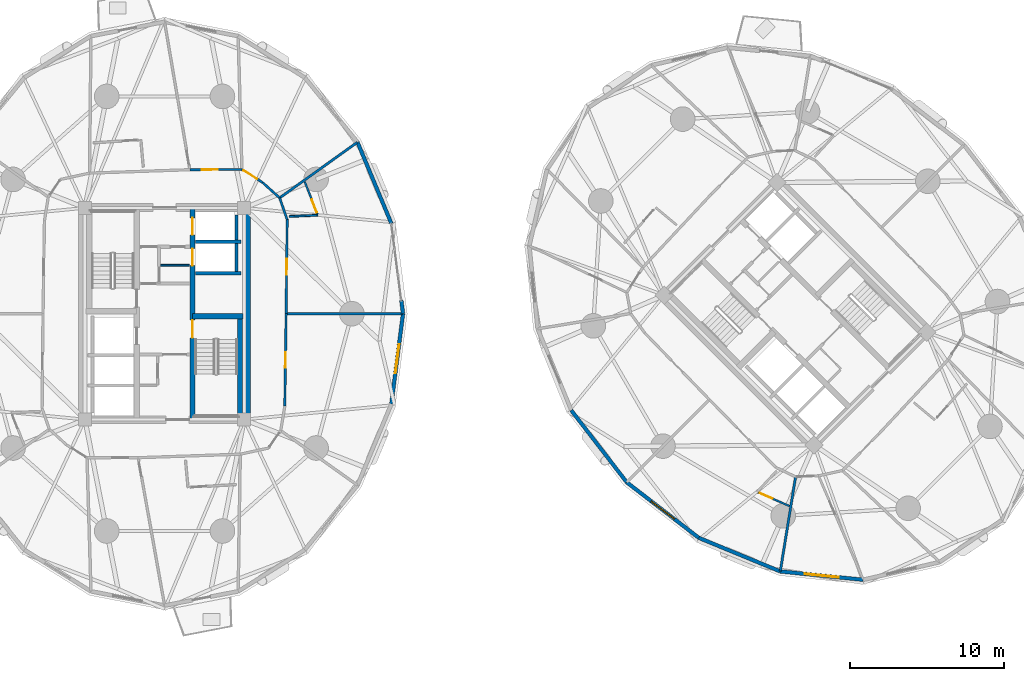
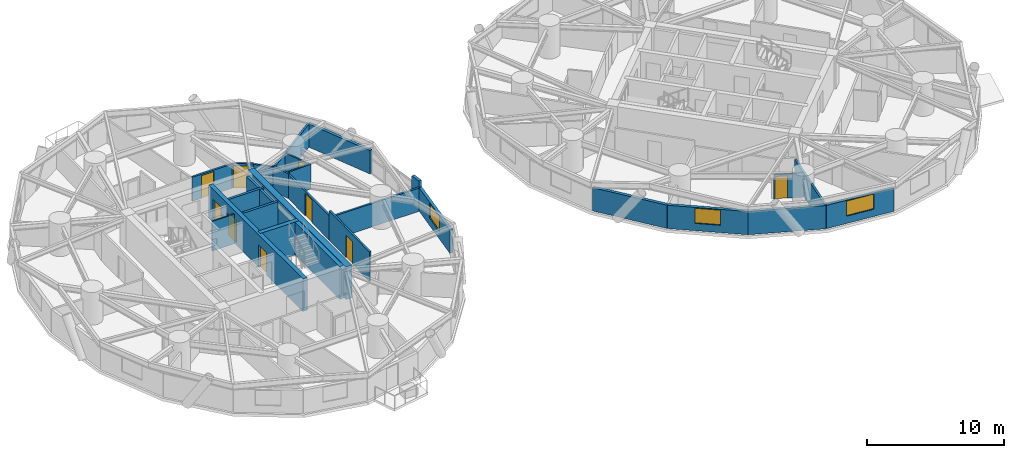
# One storey, part 11 of 19: 28 walls, 9 doors, 3 windows, 12 openings.
"""IFC4 building model written with IfcOpenShell, lengths in metres."""

from ifc_helpers import new_model, si_unit, direction, frame, frame_2d, origin, place, context, subcontext, project, spatial, rectangle, extrude, source, transform, mapped, material, layer, layer_set, type_object, element, fill, save


model = new_model("IFC4")

# Units and contexts
model_context = context("Model", 3, precision=1e-05, world=origin(), true_north=direction((0.0, 1.0)))
body_context = subcontext(model_context, "Body", "Model", "MODEL_VIEW")
ifc_project = project(units=[si_unit("LENGTHUNIT", "METRE"), si_unit("AREAUNIT", "SQUARE_METRE"), si_unit("VOLUMEUNIT", "CUBIC_METRE"), si_unit("PLANEANGLEUNIT", "RADIAN"), si_unit("MASSUNIT", "GRAM", prefix="KILO")], contexts=[model_context])

# Site, building, storey
site_placement = place(None, origin())
site = spatial("IfcSite", under=ifc_project, at=site_placement, CompositionType="ELEMENT")
building_placement = place(site_placement, origin())
building = spatial("IfcBuilding", under=site, at=building_placement, Name="Cununo Teusaquillo Station Towers", CompositionType="ELEMENT")
storey_placement = place(building_placement, frame((0.0, 0.0, 33.639892578125)))
storey = spatial("IfcBuildingStorey", under=building, at=storey_placement, Name="L09", CompositionType="ELEMENT", Elevation=33.639892578125)

# Walls
ifc_material_1 = material(Name="Concrete C50/60", Category="concrete")
ifc_layer_1 = layer(ifc_material_1, 0.199951171875)
ifc_layer_set_1 = layer_set([ifc_layer_1], Name="Concrete C50/60")
wall_type_1 = type_object("IfcWallType", Name="WL-CORE-200", PredefinedType="SHEAR", material=ifc_layer_set_1)
for number, where, z_axis, x_axis, name in (
    (1, (18.510009765625, 27.1298828125, 0.0), (0.0, 0.0, 1.0), (1.0, 0.0, 0.0), "L09 Tower A Low-Rise Lift Hoistway South Shear Wall"),
    (2, (18.510009765625, 29.175048828125, 0.0), (0.0, 0.0, 1.0), (1.0, 0.0, 0.0), "L09 Tower A Low-Rise Lift Hoistway Divider Shear Wall"),
):
    element("IfcWall", number, at=place(storey_placement, frame(where, z_axis=z_axis, x_axis=x_axis)), inside=storey, type_object=wall_type_1, Name=name, PredefinedType="SHEAR", context=body_context, shape_type="SweptSolid", body=[
        extrude(rectangle(XDim=2.969970703125, YDim=0.199951171875, at=frame_2d((1.48486328125, 0.0))), origin(), (0.0, 0.0, 1.0), 2.91015625),
    ])
wall_1_placement = place(storey_placement, frame((21.179931640625, 27.25, 0.0), z_axis=(0.0, 0.0, 1.0), x_axis=(0.0, 1.0, 0.0)))
element("IfcWall", 3, at=wall_1_placement, inside=storey, type_object=wall_type_1, Name="L09 Tower A Low-Rise Lift 1 Shaft Rear Shear Wall", PredefinedType="SHEAR", context=body_context, shape_type="SweptSolid", body=[
    extrude(rectangle(XDim=1.804931640625, YDim=0.199951171875, at=frame_2d((0.90234375, 0.0))), origin(), (0.0, 0.0, 1.0), 2.91015625),
])
wall_2_placement = place(storey_placement, frame((21.179931640625, 29.294921875, 0.0), z_axis=(0.0, 0.0, 1.0), x_axis=(0.0, 1.0, 0.0)))
element("IfcWall", 4, at=wall_2_placement, inside=storey, type_object=wall_type_1, Name="L09 Tower A Low-Rise Lift 2 Shaft Rear Shear Wall", PredefinedType="SHEAR", context=body_context, shape_type="SweptSolid", body=[
    extrude(rectangle(XDim=1.635009765625, YDim=0.199951171875, at=frame_2d((0.8173828125, 0.0))), origin(), (0.0, 0.0, 1.0), 2.91015625),
])

# Wall, openings, doors
ifc_material_2 = material(Name="Concrete C50/60", Category="concrete")
ifc_layer_2 = layer(ifc_material_2, 0.35009765625)
ifc_layer_set_2 = layer_set([ifc_layer_2], Name="Concrete C50/60")
wall_type_2 = type_object("IfcWallType", Name="WL-CORE-350", PredefinedType="SHEAR", material=ifc_layer_set_2)
wall_3_placement = place(storey_placement, frame((18.31494140625, 17.60009765625, 0.0), z_axis=(0.0, 0.0, 1.0), x_axis=(0.0, 1.0, 0.0)))
wall_3 = element("IfcWall", 5, at=wall_3_placement, inside=storey, type_object=wall_type_2, Name="L09 Tower A Core Shear Wall IE", PredefinedType="SHEAR", context=body_context, shape_type="SweptSolid", body=[
    extrude(rectangle(XDim=13.7998046875, YDim=0.35009765625, at=frame_2d((6.89990234375, 0.0))), origin(), (0.0, 0.0, 1.0), 2.91015625),
])
shared_shape_1 = source(origin(), body_context, "Body", "SweptSolid", [
    extrude(rectangle(XDim=1.10009765625, YDim=2.014892578125, at=frame_2d((0.550048828125, 1.00732421875))), frame((0.0, 0.18505859375, 0.0), z_axis=(0.0, -1.0, 0.0), x_axis=(1.0, 0.0, 0.0)), (0.0, 0.0, 1.0), 0.3701171875),
])
opening_1_placement = place(wall_3_placement, frame((10.02490234375, 0.0, 0.0)))
opening_1 = element("IfcOpeningElement", 6, at=opening_1_placement, cuts=wall_3, Name="Opening LD-01", PredefinedType="OPENING", context=body_context, shape_type="MappedRepresentation", body=[
    mapped(shared_shape_1, transform((0.0, 0.0, 0.0), x_axis=(1.0, 0.0, 0.0), y_axis=(0.0, 1.0, 0.0), z_axis=(0.0, 0.0, 1.0), scale=1.0)),
])
opening_2_placement = place(wall_3_placement, frame((12.02490234375, 0.0, 0.0)))
opening_2 = element("IfcOpeningElement", 7, at=opening_2_placement, cuts=wall_3, Name="Opening LD-01", PredefinedType="OPENING", context=body_context, shape_type="MappedRepresentation", body=[
    mapped(shared_shape_1, transform((0.0, 0.0, 0.0), x_axis=(1.0, 0.0, 0.0), y_axis=(0.0, 1.0, 0.0), z_axis=(0.0, 0.0, 1.0), scale=1.0)),
])
shared_shape_2 = source(origin(), body_context, "Body", "SweptSolid", [
    extrude(rectangle(XDim=1.14990234375, YDim=2.02001953125, at=frame_2d((0.574951171875, 1.010009765625))), frame((0.0, 0.18505859375, 0.0), z_axis=(0.0, -1.0, 0.0), x_axis=(1.0, 0.0, 0.0)), (0.0, 0.0, 1.0), 0.3701171875),
])
opening_3_placement = place(wall_3_placement, frame((5.330078125, 0.0, 0.0)))
opening_3 = element("IfcOpeningElement", 8, at=opening_3_placement, cuts=wall_3, Name="Opening D-ST1", PredefinedType="OPENING", context=body_context, shape_type="MappedRepresentation", body=[
    mapped(shared_shape_2, transform((0.0, 0.0, 0.0), x_axis=(1.0, 0.0, 0.0), y_axis=(0.0, 1.0, 0.0), z_axis=(0.0, 0.0, 1.0), scale=1.0)),
])
ifc_material_3 = material(Name="Galvanised fire-rated hollow steel door assembly", Category="steel")
door_type_1 = type_object("IfcDoorType", Name="DR-LIFT-1100", OperationType="SLIDING_TO_LEFT", PredefinedType="DOOR", material=ifc_material_3)
shared_shape_3 = source(origin(), body_context, "Body", "SweptSolid", [
    extrude(rectangle(XDim=1.10009765625, YDim=2.014892578125, at=frame_2d((0.550048828125, 1.00732421875))), frame((0.0, 0.02490234375, 0.0), z_axis=(0.0, -1.0, 0.0), x_axis=(1.0, 0.0, 0.0)), (0.0, 0.0, 1.0), 0.050048828125),
])
door_1_placement = place(opening_1_placement, origin())
door_1 = element("IfcDoor", 9, at=door_1_placement, inside=storey, type_object=door_type_1, Name="L09 Lift PL-T1-L1 Sliding Landing Door", OperationType="SLIDING_TO_LEFT", OverallHeight=2.014892578125, OverallWidth=1.10009765625, PredefinedType="DOOR", context=body_context, shape_type="MappedRepresentation", body=[
    mapped(shared_shape_3, transform((0.0, 0.0, 0.0), x_axis=(1.0, 0.0, 0.0), y_axis=(0.0, 1.0, 0.0), z_axis=(0.0, 0.0, 1.0), scale=1.0)),
])
fill(opening_1, door_1)
door_2_placement = place(opening_2_placement, origin())
door_2 = element("IfcDoor", 10, at=door_2_placement, inside=storey, type_object=door_type_1, Name="L09 Lift PL-T1-L2 Sliding Landing Door", OperationType="SLIDING_TO_RIGHT", OverallHeight=2.014892578125, OverallWidth=1.10009765625, PredefinedType="DOOR", context=body_context, shape_type="MappedRepresentation", body=[
    mapped(shared_shape_3, transform((0.0, 0.0, 0.0), x_axis=(1.0, 0.0, 0.0), y_axis=(0.0, 1.0, 0.0), z_axis=(0.0, 0.0, 1.0), scale=1.0)),
])
fill(opening_2, door_2)
ifc_material_4 = material(Name="Galvanised fire-rated hollow steel door assembly", Category="steel")
door_type_2 = type_object("IfcDoorType", Name="DR-STAIR-1150", OperationType="NOTDEFINED", PredefinedType="DOOR", material=ifc_material_4)
shared_shape_4 = source(origin(), body_context, "Body", "SweptSolid", [
    extrude(rectangle(XDim=1.14990234375, YDim=2.02001953125, at=frame_2d((0.574951171875, 1.010009765625))), frame((0.0, 0.02490234375, 0.0), z_axis=(0.0, -1.0, 0.0), x_axis=(1.0, 0.0, 0.0)), (0.0, 0.0, 1.0), 0.050048828125),
])
door_3_placement = place(opening_3_placement, origin())
door_3 = element("IfcDoor", 11, at=door_3_placement, inside=storey, type_object=door_type_2, Name="L09 Tower A Exit Stair 2 Fire Door", OperationType="SINGLE_SWING_LEFT", OverallHeight=2.02001953125, OverallWidth=1.14990234375, PredefinedType="DOOR", context=body_context, shape_type="MappedRepresentation", body=[
    mapped(shared_shape_4, transform((0.0, 0.0, 0.0), x_axis=(1.0, 0.0, 0.0), y_axis=(0.0, 1.0, 0.0), z_axis=(0.0, 0.0, 1.0), scale=1.0)),
])
fill(opening_3, door_3)

# Walls
wall_4_placement = place(storey_placement, frame((21.405029296875, 17.60009765625, 0.0), z_axis=(0.0, 0.0, 1.0), x_axis=(0.0, 1.0, 0.0)))
element("IfcWall", 12, at=wall_4_placement, inside=storey, type_object=wall_type_2, Name="L09 Tower A Core Shear Wall ST2E", PredefinedType="SHEAR", context=body_context, shape_type="SweptSolid", body=[
    extrude(rectangle(XDim=6.744873046875, YDim=0.35009765625, at=frame_2d((3.37255859375, 0.0))), origin(), (0.0, 0.0, 1.0), 2.91015625),
])
wall_5_placement = place(storey_placement, frame((18.31494140625, 24.344970703125, 0.0), z_axis=(0.0, 0.0, 1.0), x_axis=(1.0, 0.0, 0.0)))
element("IfcWall", 13, at=wall_5_placement, inside=storey, type_object=wall_type_2, Name="L09 Tower A Core Shear Wall ST2N", PredefinedType="SHEAR", context=body_context, shape_type="SweptSolid", body=[
    extrude(rectangle(XDim=3.28515625, YDim=0.35009765625, at=frame_2d((1.642578125, 0.0))), origin(), (0.0, 0.0, 1.0), 2.91015625),
])
ifc_material_5 = material(Name="Concrete C60/75", Category="concrete")
ifc_layer_3 = layer(ifc_material_5, 0.5)
ifc_layer_set_3 = layer_set([ifc_layer_3], Name="Concrete C60/75")
wall_type_3 = type_object("IfcWallType", Name="WL-CORE-500", PredefinedType="SHEAR", material=ifc_layer_set_3)
wall_6_placement = place(storey_placement, frame((21.85009765625, 17.35009765625, 0.0), z_axis=(0.0, 0.0, 1.0), x_axis=(0.0, 1.0, 0.0)))
element("IfcWall", 14, at=wall_6_placement, inside=storey, type_object=wall_type_3, Name="L09 Tower A Core Shear Wall E", PredefinedType="SHEAR", context=body_context, shape_type="SweptSolid", body=[
    extrude(rectangle(XDim=14.2998046875, YDim=0.5, at=frame_2d((7.14990234375, 0.0))), origin(), (0.0, 0.0, 1.0), 2.91015625),
])
ifc_material_6 = material(Name="Precast concrete C40/50", Category="concrete")
ifc_layer_4 = layer(ifc_material_6, 0.239990234375)
ifc_layer_set_4 = layer_set([ifc_layer_4], Name="Precast concrete C40/50")
wall_type_4 = type_object("IfcWallType", Name="WL-EXT-240", PredefinedType="SOLIDWALL", material=ifc_layer_set_4)
wall_7_placement = place(storey_placement, frame((31.88720703125, 25.36279296875, 0.0), z_axis=(0.0, 0.0, 1.0), x_axis=(0.128523364007, -0.991706481225, 0.0)))
element("IfcWall", 15, at=wall_7_placement, inside=storey, type_object=wall_type_4, Name="L09 Tower A Column Pier Cladding Wall C00-PB", PredefinedType="SOLIDWALL", context=body_context, shape_type="SweptSolid", body=[
    extrude(rectangle(XDim=0.8701171875, YDim=0.239990234375, at=frame_2d((0.43505859375, 0.0))), origin(), (0.0, 0.0, 1.0), 2.635009765625),
])
wall_8_placement = place(storey_placement, frame((29.0390625, 35.650390625, 0.0), z_axis=(0.0, 0.0, 1.0), x_axis=(0.38430970593, -0.923204229804, 0.0)))
element("IfcWall", 16, at=wall_8_placement, inside=storey, type_object=wall_type_4, Name="L09 Tower A Exterior Facade Wall C01", PredefinedType="SOLIDWALL", context=body_context, shape_type="SweptSolid", body=[
    extrude(rectangle(XDim=5.728271484375, YDim=0.239990234375, at=frame_2d((2.8642578125, 0.0))), origin(), (0.0, 0.0, 1.0), 2.072998046875),
])

# Wall, opening, window
wall_9_placement = place(storey_placement, frame((31.9990234375, 24.5, 0.0), z_axis=(0.0, 0.0, 1.0), x_axis=(-0.128329107357, -0.991731637191, 0.0)))
wall_9 = element("IfcWall", 17, at=wall_9_placement, inside=storey, type_object=wall_type_4, Name="L09 Tower A Exterior Facade Wall C19", PredefinedType="SOLIDWALL", context=body_context, shape_type="SweptSolid", body=[
    extrude(rectangle(XDim=5.910888671875, YDim=0.239990234375, at=frame_2d((2.95556640625, 0.0))), origin(), (0.0, 0.0, 1.0), 2.072998046875),
])
shared_shape_5 = source(origin(), body_context, "Body", "SweptSolid", [
    extrude(rectangle(XDim=1.89990234375, YDim=1.35009765625, at=frame_2d((0.949951171875, 0.675048828125))), frame((0.0, 0.1298828125, 0.0), z_axis=(0.0, -1.0, 0.0), x_axis=(1.0, 0.0, 0.0)), (0.0, 0.0, 1.0), 0.260009765625),
])
opening_4_placement = place(wall_9_placement, frame((2.0048828125, 0.0, 0.64990234375)))
opening_4 = element("IfcOpeningElement", 18, at=opening_4_placement, cuts=wall_9, Name="Opening WN-02", PredefinedType="OPENING", context=body_context, shape_type="MappedRepresentation", body=[
    mapped(shared_shape_5, transform((0.0, 0.0, 0.0), x_axis=(1.0, 0.0, 0.0), y_axis=(0.0, 1.0, 0.0), z_axis=(0.0, 0.0, 1.0), scale=1.0)),
])
ifc_material_7 = material(Name="Operable acoustic tinted low-E double glazing", Category="glass")
window_type_1 = type_object("IfcWindowType", Name="WIN-OPER-1900", PartitioningType="DOUBLE_PANEL_VERTICAL", PredefinedType="WINDOW", material=ifc_material_7)
shared_shape_6 = source(origin(), body_context, "Body", "SweptSolid", [
    extrude(rectangle(XDim=1.89990234375, YDim=1.35009765625, at=frame_2d((0.949951171875, 0.675048828125))), frame((0.0, 0.030029296875, 0.0), z_axis=(0.0, -1.0, 0.0), x_axis=(1.0, 0.0, 0.0)), (0.0, 0.0, 1.0), 0.06005859375),
])
window_1_placement = place(opening_4_placement, origin())
window_1 = element("IfcWindow", 19, at=window_1_placement, inside=storey, type_object=window_type_1, Name="L09 Tower A Facade Window C19", OverallHeight=1.35009765625, OverallWidth=1.89990234375, PartitioningType="DOUBLE_PANEL_VERTICAL", PredefinedType="WINDOW", context=body_context, shape_type="MappedRepresentation", body=[
    mapped(shared_shape_6, transform((0.0, 0.0, 0.0), x_axis=(1.0, 0.0, 0.0), y_axis=(0.0, 1.0, 0.0), z_axis=(0.0, 0.0, 1.0), scale=1.0)),
])
fill(opening_4, window_1)

# Wall
wall_10_placement = place(storey_placement, frame((46.54052734375, 13.54052734375, 0.0), z_axis=(0.0, 0.0, 1.0), x_axis=(-0.610494906082, 0.792020182601, 0.0)))
element("IfcWall", 20, at=wall_10_placement, inside=storey, type_object=wall_type_4, Name="L09 Tower B Exterior Facade Wall C09", PredefinedType="SOLIDWALL", context=body_context, shape_type="SweptSolid", body=[
    extrude(rectangle(XDim=5.9111328125, YDim=0.239990234375, at=frame_2d((2.95556640625, 0.0))), origin(), (0.0, 0.0, 1.0), 2.072998046875),
])

# Wall, opening, window
wall_11_placement = place(storey_placement, frame((51.22216796875, 9.931884765625, 0.0), z_axis=(0.0, 0.0, 1.0), x_axis=(-0.792020182601, 0.610494906082, 0.0)))
wall_11 = element("IfcWall", 21, at=wall_11_placement, inside=storey, type_object=wall_type_4, Name="L09 Tower B Exterior Facade Wall C10", PredefinedType="SOLIDWALL", context=body_context, shape_type="SweptSolid", body=[
    extrude(rectangle(XDim=5.9111328125, YDim=0.239990234375, at=frame_2d((2.95556640625, 0.0))), origin(), (0.0, 0.0, 1.0), 2.072998046875),
])
opening_5_placement = place(wall_11_placement, frame((2.0048828125, 0.0, 0.64990234375)))
opening_5 = element("IfcOpeningElement", 22, at=opening_5_placement, cuts=wall_11, Name="Opening WN-02", PredefinedType="OPENING", context=body_context, shape_type="MappedRepresentation", body=[
    mapped(shared_shape_5, transform((0.0, 0.0, 0.0), x_axis=(1.0, 0.0, 0.0), y_axis=(0.0, 1.0, 0.0), z_axis=(0.0, 0.0, 1.0), scale=1.0)),
])
window_2_placement = place(opening_5_placement, origin())
window_2 = element("IfcWindow", 23, at=window_2_placement, inside=storey, type_object=window_type_1, Name="L09 Tower B Facade Window C10", OverallHeight=1.35009765625, OverallWidth=1.89990234375, PartitioningType="DOUBLE_PANEL_VERTICAL", PredefinedType="WINDOW", context=body_context, shape_type="MappedRepresentation", body=[
    mapped(shared_shape_6, transform((0.0, 0.0, 0.0), x_axis=(1.0, 0.0, 0.0), y_axis=(0.0, 1.0, 0.0), z_axis=(0.0, 0.0, 1.0), scale=1.0)),
])
fill(opening_5, window_2)

# Wall
wall_12_placement = place(storey_placement, frame((56.51806640625, 7.7490234375, 0.0), z_axis=(0.0, 0.0, 1.0), x_axis=(-0.924542988536, 0.381077764176, 0.0)))
element("IfcWall", 24, at=wall_12_placement, inside=storey, type_object=wall_type_4, Name="L09 Tower B Exterior Facade Wall C11", PredefinedType="SOLIDWALL", context=body_context, shape_type="SweptSolid", body=[
    extrude(rectangle(XDim=5.72802734375, YDim=0.239990234375, at=frame_2d((2.864013671875, 0.0))), origin(), (0.0, 0.0, 1.0), 2.072998046875),
])

# Wall, opening, window
wall_13_placement = place(storey_placement, frame((61.91015625, 7.2060546875, 0.0), z_axis=(0.0, 0.0, 1.0), x_axis=(-0.994968263437, 0.100190592135, 0.0)))
wall_13 = element("IfcWall", 25, at=wall_13_placement, inside=storey, type_object=wall_type_4, Name="L09 Tower B Exterior Facade Wall C12", PredefinedType="SOLIDWALL", context=body_context, shape_type="SweptSolid", body=[
    extrude(rectangle(XDim=5.41943359375, YDim=0.239990234375, at=frame_2d((2.709716796875, 0.0))), origin(), (0.0, 0.0, 1.0), 2.072998046875),
])
shared_shape_7 = source(origin(), body_context, "Body", "SweptSolid", [
    extrude(rectangle(XDim=2.199951171875, YDim=1.35009765625, at=frame_2d((1.10009765625, 0.675048828125))), frame((0.0, 0.1298828125, 0.0), z_axis=(0.0, -1.0, 0.0), x_axis=(1.0, 0.0, 0.0)), (0.0, 0.0, 1.0), 0.260009765625),
])
opening_6_placement = place(wall_13_placement, frame((1.610107421875, 0.0, 0.64990234375)))
opening_6 = element("IfcOpeningElement", 26, at=opening_6_placement, cuts=wall_13, Name="Opening WN-01", PredefinedType="OPENING", context=body_context, shape_type="MappedRepresentation", body=[
    mapped(shared_shape_7, transform((0.0, 0.0, 0.0), x_axis=(1.0, 0.0, 0.0), y_axis=(0.0, 1.0, 0.0), z_axis=(0.0, 0.0, 1.0), scale=1.0)),
])
ifc_material_8 = material(Name="Ceramic-fritted dark low-E double glazing", Category="glass")
window_type_2 = type_object("IfcWindowType", Name="WIN-FRIT-2200", PartitioningType="DOUBLE_PANEL_VERTICAL", PredefinedType="WINDOW", material=ifc_material_8)
shared_shape_8 = source(origin(), body_context, "Body", "SweptSolid", [
    extrude(rectangle(XDim=2.199951171875, YDim=1.35009765625, at=frame_2d((1.10009765625, 0.675048828125))), frame((0.0, 0.030029296875, 0.0), z_axis=(0.0, -1.0, 0.0), x_axis=(1.0, 0.0, 0.0)), (0.0, 0.0, 1.0), 0.06005859375),
])
window_3_placement = place(opening_6_placement, origin())
window_3 = element("IfcWindow", 27, at=window_3_placement, inside=storey, type_object=window_type_2, Name="L09 Tower B Facade Window C12", OverallHeight=1.35009765625, OverallWidth=2.199951171875, PartitioningType="DOUBLE_PANEL_VERTICAL", PredefinedType="WINDOW", context=body_context, shape_type="MappedRepresentation", body=[
    mapped(shared_shape_8, transform((0.0, 0.0, 0.0), x_axis=(1.0, 0.0, 0.0), y_axis=(0.0, 1.0, 0.0), z_axis=(0.0, 0.0, 1.0), scale=1.0)),
])
fill(opening_6, window_3)

# Walls
ifc_material_9 = material(Name="Fire-rated gypsum plasterboard partition assembly", Category="gypsum")
ifc_layer_5 = layer(ifc_material_9, 0.125)
ifc_layer_set_5 = layer_set([ifc_layer_5], Name="Fire-rated gypsum plasterboard partition assembly")
wall_type_5 = type_object("IfcWallType", Name="WL-PART-125", PredefinedType="PARTITIONING", material=ifc_layer_set_5)
wall_14_placement = place(storey_placement, frame((16.239990234375, 27.64990234375, 0.0), z_axis=(0.0, 0.0, 1.0), x_axis=(1.0, 0.0, 0.0)))
element("IfcWall", 28, at=wall_14_placement, inside=storey, type_object=wall_type_5, Name="L09 Tower A Core Horizontal Split Wall", PredefinedType="PARTITIONING", context=body_context, shape_type="SweptSolid", body=[
    extrude(rectangle(XDim=1.880126953125, YDim=0.125, at=frame_2d((0.93994140625, 0.0))), origin(), (0.0, 0.0, 1.0), 2.635009765625),
])
wall_15_placement = place(storey_placement, frame((24.595947265625, 30.8203125, 0.0), z_axis=(0.0, 0.0, 1.0), x_axis=(0.999051464703, 0.043545044208, 0.0)))
element("IfcWall", 29, at=wall_15_placement, inside=storey, type_object=wall_type_5, Name="L09 Tower A S01 En-suite Side Wall", PredefinedType="PARTITIONING", context=body_context, shape_type="SweptSolid", body=[
    extrude(rectangle(XDim=1.866943359375, YDim=0.125, at=frame_2d((0.93359375, 0.0))), origin(), (0.0, 0.0, 1.0), 2.205078125),
])

# Wall, opening, door
wall_16_placement = place(storey_placement, frame((26.435546875, 30.967529296875, 0.0), z_axis=(0.0, 0.0, 1.0), x_axis=(-0.363813993333, 0.931471619672, 0.0)))
wall_16 = element("IfcWall", 30, at=wall_16_placement, inside=storey, type_object=wall_type_5, Name="L09 Tower A S01 En-suite Back Wall", PredefinedType="PARTITIONING", context=body_context, shape_type="SweptSolid", body=[
    extrude(rectangle(XDim=2.264892578125, YDim=0.125, at=frame_2d((1.13232421875, 0.0))), origin(), (0.0, 0.0, 1.0), 2.1591796875),
])
shared_shape_9 = source(origin(), body_context, "Body", "SweptSolid", [
    extrude(rectangle(XDim=0.89990234375, YDim=2.0048828125, at=frame_2d((0.449951171875, 1.00244140625))), frame((0.0, 0.072509765625, 0.0), z_axis=(0.0, -1.0, 0.0), x_axis=(1.0, 0.0, 0.0)), (0.0, 0.0, 1.0), 0.14501953125),
])
opening_7_placement = place(wall_16_placement, frame((0.1201171875, 0.0, 0.0)))
opening_7 = element("IfcOpeningElement", 31, at=opening_7_placement, cuts=wall_16, Name="Opening D-IN1", PredefinedType="OPENING", context=body_context, shape_type="MappedRepresentation", body=[
    mapped(shared_shape_9, transform((0.0, 0.0, 0.0), x_axis=(1.0, 0.0, 0.0), y_axis=(0.0, 1.0, 0.0), z_axis=(0.0, 0.0, 1.0), scale=1.0)),
])
ifc_material_10 = material(Name="Acoustic solid-core hardwood leaf assembly", Category="wood")
door_type_3 = type_object("IfcDoorType", Name="DR-INT-900", OperationType="NOTDEFINED", PredefinedType="DOOR", material=ifc_material_10)
shared_shape_10 = source(origin(), body_context, "Body", "SweptSolid", [
    extrude(rectangle(XDim=0.89990234375, YDim=2.0048828125, at=frame_2d((0.449951171875, 1.00244140625))), frame((0.0, 0.02490234375, 0.0), z_axis=(0.0, -1.0, 0.0), x_axis=(1.0, 0.0, 0.0)), (0.0, 0.0, 1.0), 0.050048828125),
])
door_4_placement = place(opening_7_placement, origin())
door_4 = element("IfcDoor", 32, at=door_4_placement, inside=storey, type_object=door_type_3, Name="L09 Tower A S01 En-suite Bathroom Door", OperationType="SINGLE_SWING_RIGHT", OverallHeight=2.0048828125, OverallWidth=0.89990234375, PredefinedType="DOOR", context=body_context, shape_type="MappedRepresentation", body=[
    mapped(shared_shape_10, transform((0.0, 0.0, 0.0), x_axis=(1.0, 0.0, 0.0), y_axis=(0.0, 1.0, 0.0), z_axis=(0.0, 0.0, 1.0), scale=1.0)),
])
fill(opening_7, door_4)

wall_17_placement = place(storey_placement, frame((55.069091796875, 12.8876953125, 0.0), z_axis=(0.0, 0.0, 1.0), x_axis=(0.916790743628, -0.399367916085, 0.0)))
wall_17 = element("IfcWall", 33, at=wall_17_placement, inside=storey, type_object=wall_type_5, Name="L09 Tower B S05 En-suite Back Wall", PredefinedType="PARTITIONING", context=body_context, shape_type="SweptSolid", body=[
    extrude(rectangle(XDim=2.22509765625, YDim=0.125, at=frame_2d((1.112548828125, 0.0))), origin(), (0.0, 0.0, 1.0), 2.1591796875),
])
opening_8_placement = place(wall_17_placement, frame((0.1201171875, 0.0, 0.0)))
opening_8 = element("IfcOpeningElement", 34, at=opening_8_placement, cuts=wall_17, Name="Opening D-IN1", PredefinedType="OPENING", context=body_context, shape_type="MappedRepresentation", body=[
    mapped(shared_shape_9, transform((0.0, 0.0, 0.0), x_axis=(1.0, 0.0, 0.0), y_axis=(0.0, 1.0, 0.0), z_axis=(0.0, 0.0, 1.0), scale=1.0)),
])
door_5_placement = place(opening_8_placement, origin())
door_5 = element("IfcDoor", 35, at=door_5_placement, inside=storey, type_object=door_type_3, Name="L09 Tower B S05 En-suite Bathroom Door", OperationType="SINGLE_SWING_RIGHT", OverallHeight=2.0048828125, OverallWidth=0.89990234375, PredefinedType="DOOR", context=body_context, shape_type="MappedRepresentation", body=[
    mapped(shared_shape_10, transform((0.0, 0.0, 0.0), x_axis=(1.0, 0.0, 0.0), y_axis=(0.0, 1.0, 0.0), z_axis=(0.0, 0.0, 1.0), scale=1.0)),
])
fill(opening_8, door_5)

ifc_material_11 = material(Name="Fire-rated gypsum plasterboard partition assembly", Category="gypsum")
ifc_layer_6 = layer(ifc_material_11, 0.14990234375)
ifc_layer_set_6 = layer_set([ifc_layer_6], Name="Fire-rated gypsum plasterboard partition assembly")
wall_type_6 = type_object("IfcWallType", Name="WL-PART-150", PredefinedType="PARTITIONING", material=ifc_layer_set_6)
wall_18_placement = place(storey_placement, frame((24.39990234375, 24.5, 0.0), z_axis=(0.0, 0.0, 1.0), x_axis=(0.011299841544, 0.999936154752, 0.0)))
wall_18 = element("IfcWall", 36, at=wall_18_placement, inside=storey, type_object=wall_type_6, Name="L09 Tower A Corridor Ring Wall C00", PredefinedType="PARTITIONING", context=body_context, shape_type="SweptSolid", body=[
    extrude(rectangle(XDim=6.114501953125, YDim=0.14990234375, at=frame_2d((3.05712890625, 0.0))), origin(), (0.0, 0.0, 1.0), 2.1591796875),
])
shared_shape_11 = source(origin(), body_context, "Body", "SweptSolid", [
    extrude(rectangle(XDim=1.050048828125, YDim=2.014892578125, at=frame_2d((0.52490234375, 1.00732421875))), frame((0.0, 0.0849609375, 0.0), z_axis=(0.0, -1.0, 0.0), x_axis=(1.0, 0.0, 0.0)), (0.0, 0.0, 1.0), 0.169921875),
])
opening_9_placement = place(wall_18_placement, frame((2.5322265625, 0.0, 0.0)))
opening_9 = element("IfcOpeningElement", 37, at=opening_9_placement, cuts=wall_18, Name="Opening D-SU1", PredefinedType="OPENING", context=body_context, shape_type="MappedRepresentation", body=[
    mapped(shared_shape_11, transform((0.0, 0.0, 0.0), x_axis=(1.0, 0.0, 0.0), y_axis=(0.0, 1.0, 0.0), z_axis=(0.0, 0.0, 1.0), scale=1.0)),
])
ifc_material_12 = material(Name="Acoustic solid-core hardwood leaf assembly", Category="wood")
door_type_4 = type_object("IfcDoorType", Name="DR-SUITE-1050", OperationType="NOTDEFINED", PredefinedType="DOOR", material=ifc_material_12)
shared_shape_12 = source(origin(), body_context, "Body", "SweptSolid", [
    extrude(rectangle(XDim=1.050048828125, YDim=2.014892578125, at=frame_2d((0.52490234375, 1.00732421875))), frame((0.0, 0.02490234375, 0.0), z_axis=(0.0, -1.0, 0.0), x_axis=(1.0, 0.0, 0.0)), (0.0, 0.0, 1.0), 0.050048828125),
])
door_6_placement = place(opening_9_placement, origin())
door_6 = element("IfcDoor", 38, at=door_6_placement, inside=storey, type_object=door_type_4, Name="L09 Tower A Premier Corner Hotel Suite Entrance Door", OperationType="SINGLE_SWING_LEFT", OverallHeight=2.014892578125, OverallWidth=1.050048828125, PredefinedType="DOOR", context=body_context, shape_type="MappedRepresentation", body=[
    mapped(shared_shape_12, transform((0.0, 0.0, 0.0), x_axis=(1.0, 0.0, 0.0), y_axis=(0.0, 1.0, 0.0), z_axis=(0.0, 0.0, 1.0), scale=1.0)),
])
fill(opening_9, door_6)

# Walls
wall_19_placement = place(storey_placement, frame((24.468994140625, 30.614013671875, 0.0), z_axis=(0.0, 0.0, 1.0), x_axis=(-0.327228335485, 0.944945298129, 0.0)))
element("IfcWall", 39, at=wall_19_placement, inside=storey, type_object=wall_type_6, Name="L09 Tower A Corridor Ring Wall C01", PredefinedType="PARTITIONING", context=body_context, shape_type="SweptSolid", body=[
    extrude(rectangle(XDim=1.4951171875, YDim=0.14990234375, at=frame_2d((0.74755859375, 0.0))), origin(), (0.0, 0.0, 1.0), 2.205078125),
])
wall_20_placement = place(storey_placement, frame((23.979736328125, 32.02685546875, 0.0), z_axis=(0.0, 0.0, 1.0), x_axis=(-0.742353224332, 0.670008724065, 0.0)))
element("IfcWall", 40, at=wall_20_placement, inside=storey, type_object=wall_type_6, Name="L09 Tower A Corridor Ring Wall C02", PredefinedType="PARTITIONING", context=body_context, shape_type="SweptSolid", body=[
    extrude(rectangle(XDim=1.48486328125, YDim=0.14990234375, at=frame_2d((0.742431640625, 0.0))), origin(), (0.0, 0.0, 1.0), 2.1591796875),
])

# Wall, opening, door
wall_21_placement = place(storey_placement, frame((22.87744140625, 33.021728515625, 0.0), z_axis=(0.0, 0.0, 1.0), x_axis=(-0.845895608855, 0.533348496689, 0.0)))
wall_21 = element("IfcWall", 41, at=wall_21_placement, inside=storey, type_object=wall_type_6, Name="L09 Tower A Corridor Ring Wall C03", PredefinedType="PARTITIONING", context=body_context, shape_type="SweptSolid", body=[
    extrude(rectangle(XDim=1.5966796875, YDim=0.14990234375, at=frame_2d((0.79833984375, 0.0))), origin(), (0.0, 0.0, 1.0), 2.205078125),
])
opening_10_placement = place(wall_21_placement, frame((0.4267578125, 0.0, 0.0)))
opening_10 = element("IfcOpeningElement", 42, at=opening_10_placement, cuts=wall_21, Name="Opening D-SU1", PredefinedType="OPENING", context=body_context, shape_type="MappedRepresentation", body=[
    mapped(shared_shape_11, transform((0.0, 0.0, 0.0), x_axis=(1.0, 0.0, 0.0), y_axis=(0.0, 1.0, 0.0), z_axis=(0.0, 0.0, 1.0), scale=1.0)),
])
door_7_placement = place(opening_10_placement, origin())
door_7 = element("IfcDoor", 43, at=door_7_placement, inside=storey, type_object=door_type_4, Name="L09 Tower A Hotel Club Breakfast Lounge Entrance Door", OperationType="SINGLE_SWING_LEFT", OverallHeight=2.014892578125, OverallWidth=1.050048828125, PredefinedType="DOOR", context=body_context, shape_type="MappedRepresentation", body=[
    mapped(shared_shape_12, transform((0.0, 0.0, 0.0), x_axis=(1.0, 0.0, 0.0), y_axis=(0.0, 1.0, 0.0), z_axis=(0.0, 0.0, 1.0), scale=1.0)),
])
fill(opening_10, door_7)

wall_22_placement = place(storey_placement, frame((21.52685546875, 33.873291015625, 0.0), z_axis=(0.0, 0.0, 1.0), x_axis=(-0.999991838845, -0.004040079574, 0.0)))
wall_22 = element("IfcWall", 44, at=wall_22_placement, inside=storey, type_object=wall_type_6, Name="L09 Tower A Corridor Ring Wall C04", PredefinedType="PARTITIONING", context=body_context, shape_type="SweptSolid", body=[
    extrude(rectangle(XDim=3.384033203125, YDim=0.14990234375, at=frame_2d((1.69189453125, 0.0))), origin(), (0.0, 0.0, 1.0), 2.1591796875),
])
opening_11_placement = place(wall_22_placement, frame((1.5595703125, 0.0, 0.0)))
opening_11 = element("IfcOpeningElement", 45, at=opening_11_placement, cuts=wall_22, Name="Opening D-SU1", PredefinedType="OPENING", context=body_context, shape_type="MappedRepresentation", body=[
    mapped(shared_shape_11, transform((0.0, 0.0, 0.0), x_axis=(1.0, 0.0, 0.0), y_axis=(0.0, 1.0, 0.0), z_axis=(0.0, 0.0, 1.0), scale=1.0)),
])
door_8_placement = place(opening_11_placement, origin())
door_8 = element("IfcDoor", 46, at=door_8_placement, inside=storey, type_object=door_type_4, Name="L09 Tower A Executive Corner Hotel Suite Entrance Door", OperationType="SINGLE_SWING_RIGHT", OverallHeight=2.014892578125, OverallWidth=1.050048828125, PredefinedType="DOOR", context=body_context, shape_type="MappedRepresentation", body=[
    mapped(shared_shape_12, transform((0.0, 0.0, 0.0), x_axis=(1.0, 0.0, 0.0), y_axis=(0.0, 1.0, 0.0), z_axis=(0.0, 0.0, 1.0), scale=1.0)),
])
fill(opening_11, door_8)

wall_23_placement = place(storey_placement, frame((24.3134765625, 18.496337890625, 0.0), z_axis=(0.0, 0.0, 1.0), x_axis=(0.014394019188, 0.999896400739, 0.0)))
wall_23 = element("IfcWall", 47, at=wall_23_placement, inside=storey, type_object=wall_type_6, Name="L09 Tower A Corridor Ring Wall C19", PredefinedType="PARTITIONING", context=body_context, shape_type="SweptSolid", body=[
    extrude(rectangle(XDim=6.00439453125, YDim=0.14990234375, at=frame_2d((3.002197265625, 0.0))), origin(), (0.0, 0.0, 1.0), 2.635009765625),
])
shared_shape_13 = source(origin(), body_context, "Body", "SweptSolid", [
    extrude(rectangle(XDim=1.0, YDim=2.014892578125, at=frame_2d((0.5, 1.00732421875))), frame((0.0, 0.0849609375, 0.0), z_axis=(0.0, -1.0, 0.0), x_axis=(1.0, 0.0, 0.0)), (0.0, 0.0, 1.0), 0.169921875),
])
opening_12_placement = place(wall_23_placement, frame((2.502197265625, 0.0, 0.0)))
opening_12 = element("IfcOpeningElement", 48, at=opening_12_placement, cuts=wall_23, Name="Opening D-AC1", PredefinedType="OPENING", context=body_context, shape_type="MappedRepresentation", body=[
    mapped(shared_shape_13, transform((0.0, 0.0, 0.0), x_axis=(1.0, 0.0, 0.0), y_axis=(0.0, 1.0, 0.0), z_axis=(0.0, 0.0, 1.0), scale=1.0)),
])
ifc_material_13 = material(Name="Acoustic solid-core hardwood leaf assembly", Category="wood")
door_type_5 = type_object("IfcDoorType", Name="DR-ACC-1000", OperationType="NOTDEFINED", PredefinedType="DOOR", material=ifc_material_13)
shared_shape_14 = source(origin(), body_context, "Body", "SweptSolid", [
    extrude(rectangle(XDim=1.0, YDim=2.014892578125, at=frame_2d((0.5, 1.00732421875))), frame((0.0, 0.02490234375, 0.0), z_axis=(0.0, -1.0, 0.0), x_axis=(1.0, 0.0, 0.0)), (0.0, 0.0, 1.0), 0.050048828125),
])
door_9_placement = place(opening_12_placement, origin())
door_9 = element("IfcDoor", 49, at=door_9_placement, inside=storey, type_object=door_type_5, Name="L09 Tower A Public Accessible Restroom WC Entrance Door", OperationType="SINGLE_SWING_RIGHT", OverallHeight=2.014892578125, OverallWidth=1.0, PredefinedType="DOOR", context=body_context, shape_type="MappedRepresentation", body=[
    mapped(shared_shape_14, transform((0.0, 0.0, 0.0), x_axis=(1.0, 0.0, 0.0), y_axis=(0.0, 1.0, 0.0), z_axis=(0.0, 0.0, 1.0), scale=1.0)),
])
fill(opening_12, door_9)

# Walls
ifc_material_14 = material(Name="Fire-rated gypsum plasterboard partition assembly", Category="gypsum")
ifc_layer_7 = layer(ifc_material_14, 0.159912109375)
ifc_layer_set_7 = layer_set([ifc_layer_7], Name="Fire-rated gypsum plasterboard partition assembly")
wall_type_7 = type_object("IfcWallType", Name="WL-PART-160", PredefinedType="PARTITIONING", material=ifc_layer_set_7)
wall_24_placement = place(storey_placement, frame((24.39990234375, 24.5, 0.0), z_axis=(0.0, 0.0, 1.0), x_axis=(1.0, 0.0, 0.0)))
element("IfcWall", 50, at=wall_24_placement, inside=storey, type_object=wall_type_7, Name="L09 Tower A Radial Suite Partition R01", PredefinedType="PARTITIONING", context=body_context, shape_type="SweptSolid", body=[
    extrude(rectangle(XDim=7.5791015625, YDim=0.159912109375, at=frame_2d((3.78955078125, 0.0))), origin(), (0.0, 0.0, 1.0), 2.072998046875),
])
wall_25_placement = place(storey_placement, frame((23.979736328125, 32.02685546875, 0.0), z_axis=(0.0, 0.0, 1.0), x_axis=(0.813012139255, 0.582246735864, 0.0)))
element("IfcWall", 51, at=wall_25_placement, inside=storey, type_object=wall_type_7, Name="L09 Tower A Radial Suite Partition R02", PredefinedType="PARTITIONING", context=body_context, shape_type="SweptSolid", body=[
    extrude(rectangle(XDim=6.202880859375, YDim=0.159912109375, at=frame_2d((3.1015625, 0.0))), origin(), (0.0, 0.0, 1.0), 2.072998046875),
])
wall_26_placement = place(storey_placement, frame((57.51123046875, 13.896728515625, 0.0), z_axis=(0.0, 0.0, 1.0), x_axis=(-0.159485929017, -0.987200201806, 0.0)))
element("IfcWall", 52, at=wall_26_placement, inside=storey, type_object=wall_type_7, Name="L09 Tower B Radial Suite Partition R07", PredefinedType="PARTITIONING", context=body_context, shape_type="SweptSolid", body=[
    extrude(rectangle(XDim=6.207275390625, YDim=0.159912109375, at=frame_2d((3.103515625, 0.0))), origin(), (0.0, 0.0, 1.0), 2.072998046875),
])

save(model, "model.ifc")
